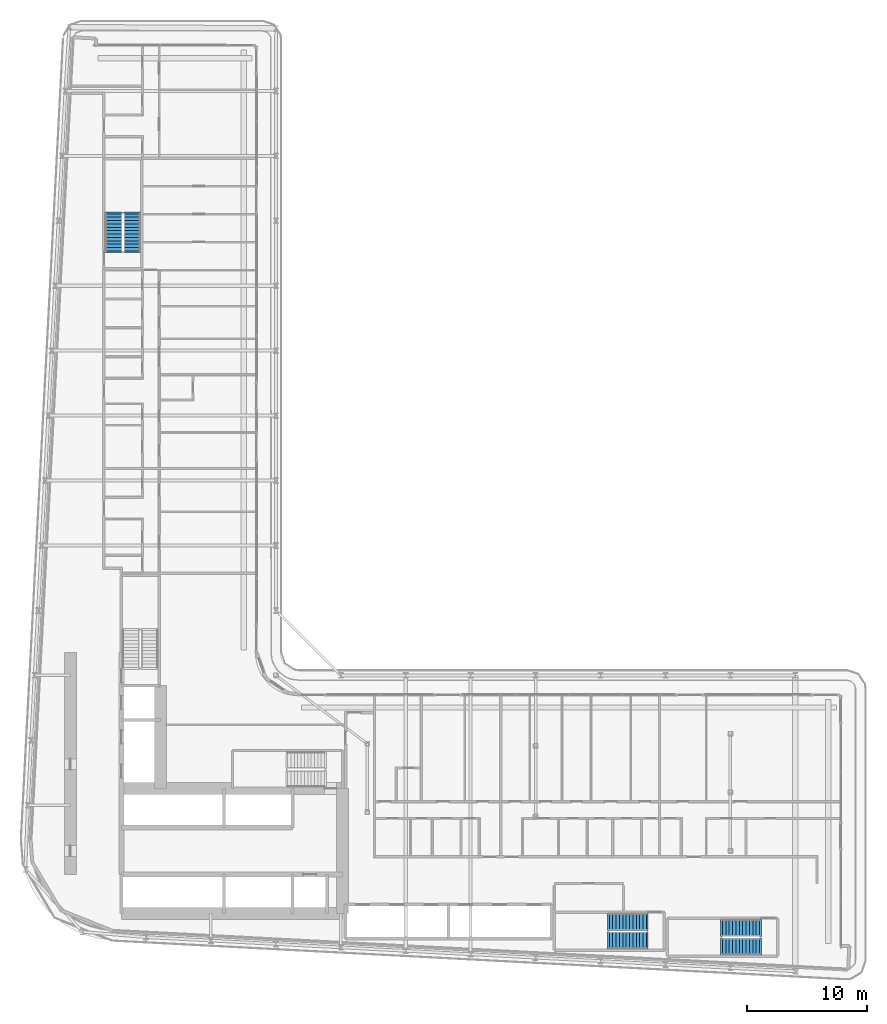
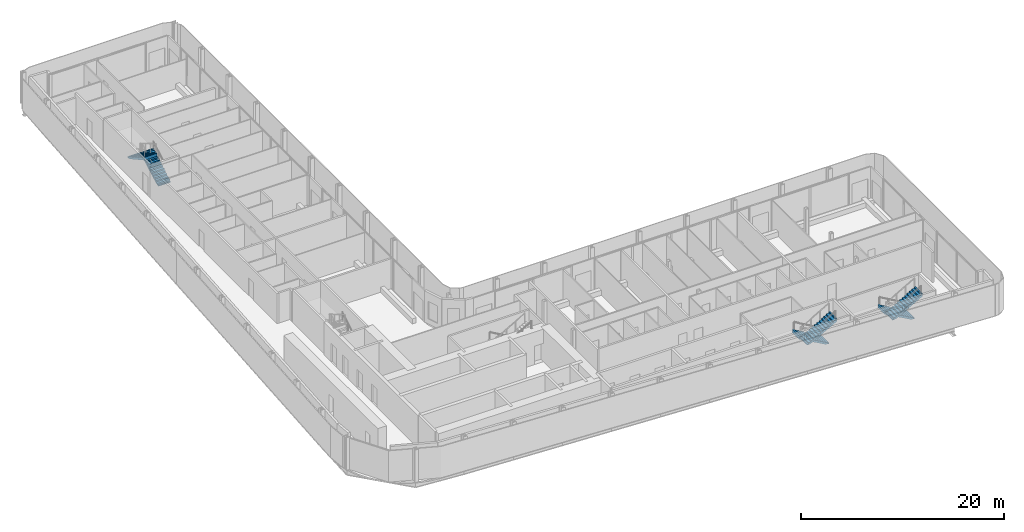
# One storey, part 21 of 28: 6 stair flights, 3 elements without a shape of their own.
"""IFC4 building model written with IfcOpenShell, lengths in metres."""

from ifc_helpers import new_model, si_unit, direction, frame, origin, place, context, subcontext, project, spatial, polyline, outline, extrude, material, layer, layer_set, type_object, element, aggregate, save


model = new_model("IFC4")

# Units and contexts
model_context = context("Model", 3, precision=1e-05, world=origin(), true_north=direction((0.0, 1.0)))
body_context = subcontext(model_context, "Body", "Model", "MODEL_VIEW")
ifc_project = project(units=[si_unit("LENGTHUNIT", "METRE"), si_unit("AREAUNIT", "SQUARE_METRE"), si_unit("VOLUMEUNIT", "CUBIC_METRE"), si_unit("PLANEANGLEUNIT", "RADIAN"), si_unit("MASSUNIT", "GRAM", prefix="KILO")], contexts=[model_context])

# Site, building, storey
site_placement = place(None, origin())
site = spatial("IfcSite", under=ifc_project, at=site_placement, CompositionType="ELEMENT")
building_placement = place(site_placement, origin())
building = spatial("IfcBuilding", under=site, at=building_placement, Name="Kheshtan School and Residences Tower", CompositionType="ELEMENT")
storey_placement = place(building_placement, frame((0.0, 0.0, 42.199951171875)))
storey = spatial("IfcBuildingStorey", under=building, at=storey_placement, Name="L09", CompositionType="ELEMENT", Elevation=42.199951171875)

# Stair, stair flights
ifc_material = material(Name="Concrete C40/50", Category="concrete")
stair_type = type_object("IfcStairType", Name="Exit stair, half-turn", PredefinedType="HALF_TURN_STAIR", material=ifc_material)
stair_1_placement = place(storey_placement, origin())
stair_1 = element("IfcStair", 1, at=stair_1_placement, inside=storey, type_object=stair_type, Name="L09 Protected Exit Stair ST3", PredefinedType="HALF_TURN_STAIR")
ifc_layer = layer(ifc_material, 0.14990234375)
ifc_layer_set = layer_set([ifc_layer], Name="Stair flight 1400 Concrete C40/50")
stair_flight_type = type_object("IfcStairFlightType", Name="Stair flight 1400 Concrete C40/50", PredefinedType="STRAIGHT", material=ifc_layer_set)
stair_flight_1_placement = place(storey_placement, frame((35.64990234375, 80.89990234375, 0.0), z_axis=(0.0, 0.0, 1.0), x_axis=(0.0, 1.0, 0.0)))
stair_flight_1 = element("IfcStairFlight", 2, at=stair_flight_1_placement, type_object=stair_flight_type, Name="ST3 flight 1", NumberOfRisers=12, NumberOfTreads=11, PredefinedType="STRAIGHT", RiserHeight=0.1625, TreadLength=0.28, context=body_context, shape_type="SweptSolid", body=[
    extrude(outline(polyline([(-0.14990234375, -0.10009765625), (-0.14990234375, 0.0), (0.0, 0.0), (0.0, 0.16259765625), (0.280029296875, 0.16259765625), (0.280029296875, 0.324951171875), (0.56005859375, 0.324951171875), (0.56005859375, 0.487548828125), (0.840087890625, 0.487548828125), (0.840087890625, 0.64990234375), (1.1201171875, 0.64990234375), (1.1201171875, 0.8125), (1.39990234375, 0.8125), (1.39990234375, 0.97509765625), (1.679931640625, 0.97509765625), (1.679931640625, 1.137451171875), (1.9599609375, 1.137451171875), (1.9599609375, 1.300048828125), (2.239990234375, 1.300048828125), (2.239990234375, 1.46240234375), (2.52001953125, 1.46240234375), (2.52001953125, 1.625), (2.800048828125, 1.625), (2.800048828125, 1.78759765625), (3.080078125, 1.78759765625), (3.080078125, 1.949951171875), (3.080078125, 1.969970703125), (3.22998046875, 1.969970703125), (3.22998046875, 1.6142578125), (0.298583984375, 0.0), (-0.14990234375, -0.10009765625)])), frame((0.0, 0.699951171875, 0.0), z_axis=(0.0, -1.0, 0.0), x_axis=(1.0, 0.0, 0.0)), (0.0, 0.0, 1.0), 1.39990234375),
])
stair_flight_2_placement = place(storey_placement, frame((34.10009765625, 83.97998046875, 1.949951171875), z_axis=(0.0, 0.0, 1.0), x_axis=(0.0, -1.0, 0.0)))
stair_flight_2 = element("IfcStairFlight", 3, at=stair_flight_2_placement, type_object=stair_flight_type, Name="ST3 flight 2", NumberOfRisers=12, NumberOfTreads=11, PredefinedType="STRAIGHT", RiserHeight=0.1625, TreadLength=0.28, context=body_context, shape_type="SweptSolid", body=[
    extrude(outline(polyline([(-0.14990234375, -0.10009765625), (-0.14990234375, 0.0), (0.0, 0.0), (0.0, 0.16259765625), (0.280029296875, 0.16259765625), (0.280029296875, 0.324951171875), (0.56005859375, 0.324951171875), (0.56005859375, 0.487548828125), (0.840087890625, 0.487548828125), (0.840087890625, 0.64990234375), (1.1201171875, 0.64990234375), (1.1201171875, 0.8125), (1.39990234375, 0.8125), (1.39990234375, 0.97509765625), (1.679931640625, 0.97509765625), (1.679931640625, 1.137451171875), (1.9599609375, 1.137451171875), (1.9599609375, 1.300048828125), (2.239990234375, 1.300048828125), (2.239990234375, 1.46240234375), (2.52001953125, 1.46240234375), (2.52001953125, 1.625), (2.800048828125, 1.625), (2.800048828125, 1.78759765625), (3.080078125, 1.78759765625), (3.080078125, 1.949951171875), (3.080078125, 1.969970703125), (3.22998046875, 1.969970703125), (3.22998046875, 1.6142578125), (0.298583984375, 0.0), (-0.14990234375, -0.10009765625)])), frame((0.0, 0.699951171875, 0.0), z_axis=(0.0, -1.0, 0.0), x_axis=(1.0, 0.0, 0.0)), (0.0, 0.0, 1.0), 1.39990234375),
])
aggregate(stair_1, [stair_flight_1, stair_flight_2])

stair_2_placement = place(storey_placement, origin())
stair_2 = element("IfcStair", 4, at=stair_2_placement, inside=storey, type_object=stair_type, Name="L09 Protected Exit Stair ST4", PredefinedType="HALF_TURN_STAIR")
stair_flight_3_placement = place(storey_placement, frame((87.820068359375, 24.60009765625, 0.0), z_axis=(0.0, 0.0, 1.0), x_axis=(-1.0, 0.0, 0.0)))
stair_flight_3 = element("IfcStairFlight", 5, at=stair_flight_3_placement, type_object=stair_flight_type, Name="ST4 flight 1", NumberOfRisers=12, NumberOfTreads=11, PredefinedType="STRAIGHT", RiserHeight=0.1625, TreadLength=0.28, context=body_context, shape_type="SweptSolid", body=[
    extrude(outline(polyline([(-0.14990234375, -0.10009765625), (-0.14990234375, 0.0), (0.0, 0.0), (0.0, 0.16259765625), (0.280029296875, 0.16259765625), (0.280029296875, 0.324951171875), (0.56005859375, 0.324951171875), (0.56005859375, 0.487548828125), (0.840087890625, 0.487548828125), (0.840087890625, 0.64990234375), (1.1201171875, 0.64990234375), (1.1201171875, 0.8125), (1.39990234375, 0.8125), (1.39990234375, 0.97509765625), (1.679931640625, 0.97509765625), (1.679931640625, 1.137451171875), (1.9599609375, 1.137451171875), (1.9599609375, 1.300048828125), (2.239990234375, 1.300048828125), (2.239990234375, 1.46240234375), (2.52001953125, 1.46240234375), (2.52001953125, 1.625), (2.800048828125, 1.625), (2.800048828125, 1.78759765625), (3.080078125, 1.78759765625), (3.080078125, 1.949951171875), (3.080078125, 1.969970703125), (3.22998046875, 1.969970703125), (3.22998046875, 1.6142578125), (0.298583984375, 0.0), (-0.14990234375, -0.10009765625)])), frame((0.0, 0.699951171875, 0.0), z_axis=(0.0, -1.0, 0.0), x_axis=(1.0, 0.0, 0.0)), (0.0, 0.0, 1.0), 1.39990234375),
])
stair_flight_4_placement = place(storey_placement, frame((84.739990234375, 23.050048828125, 1.949951171875), z_axis=(0.0, 0.0, 1.0), x_axis=(1.0, 0.0, 0.0)))
stair_flight_4 = element("IfcStairFlight", 6, at=stair_flight_4_placement, type_object=stair_flight_type, Name="ST4 flight 2", NumberOfRisers=12, NumberOfTreads=11, PredefinedType="STRAIGHT", RiserHeight=0.1625, TreadLength=0.28, context=body_context, shape_type="SweptSolid", body=[
    extrude(outline(polyline([(-0.14990234375, -0.10009765625), (-0.14990234375, 0.0), (0.0, 0.0), (0.0, 0.16259765625), (0.280029296875, 0.16259765625), (0.280029296875, 0.324951171875), (0.56005859375, 0.324951171875), (0.56005859375, 0.487548828125), (0.840087890625, 0.487548828125), (0.840087890625, 0.64990234375), (1.1201171875, 0.64990234375), (1.1201171875, 0.8125), (1.39990234375, 0.8125), (1.39990234375, 0.97509765625), (1.679931640625, 0.97509765625), (1.679931640625, 1.137451171875), (1.9599609375, 1.137451171875), (1.9599609375, 1.300048828125), (2.239990234375, 1.300048828125), (2.239990234375, 1.46240234375), (2.52001953125, 1.46240234375), (2.52001953125, 1.625), (2.800048828125, 1.625), (2.800048828125, 1.78759765625), (3.080078125, 1.78759765625), (3.080078125, 1.949951171875), (3.080078125, 1.969970703125), (3.22998046875, 1.969970703125), (3.22998046875, 1.6142578125), (0.298583984375, 0.0), (-0.14990234375, -0.10009765625)])), frame((0.0, 0.699951171875, 0.0), z_axis=(0.0, -1.0, 0.0), x_axis=(1.0, 0.0, 0.0)), (0.0, 0.0, 1.0), 1.39990234375),
])
aggregate(stair_2, [stair_flight_3, stair_flight_4])

stair_3_placement = place(storey_placement, origin())
stair_3 = element("IfcStair", 7, at=stair_3_placement, inside=storey, type_object=stair_type, Name="L09 Protected Exit Stair ST5", PredefinedType="HALF_TURN_STAIR")
stair_flight_5_placement = place(storey_placement, frame((78.409912109375, 25.10009765625, 0.0), z_axis=(0.0, 0.0, 1.0), x_axis=(-1.0, 0.0, 0.0)))
stair_flight_5 = element("IfcStairFlight", 8, at=stair_flight_5_placement, type_object=stair_flight_type, Name="ST5 flight 1", NumberOfRisers=12, NumberOfTreads=11, PredefinedType="STRAIGHT", RiserHeight=0.1625, TreadLength=0.28, context=body_context, shape_type="SweptSolid", body=[
    extrude(outline(polyline([(-0.14990234375, -0.10009765625), (-0.14990234375, 0.0), (0.0, 0.0), (0.0, 0.16259765625), (0.280029296875, 0.16259765625), (0.280029296875, 0.324951171875), (0.56005859375, 0.324951171875), (0.56005859375, 0.487548828125), (0.840087890625, 0.487548828125), (0.840087890625, 0.64990234375), (1.1201171875, 0.64990234375), (1.1201171875, 0.8125), (1.39990234375, 0.8125), (1.39990234375, 0.97509765625), (1.679931640625, 0.97509765625), (1.679931640625, 1.137451171875), (1.9599609375, 1.137451171875), (1.9599609375, 1.300048828125), (2.239990234375, 1.300048828125), (2.239990234375, 1.46240234375), (2.52001953125, 1.46240234375), (2.52001953125, 1.625), (2.800048828125, 1.625), (2.800048828125, 1.78759765625), (3.080078125, 1.78759765625), (3.080078125, 1.949951171875), (3.080078125, 1.969970703125), (3.22998046875, 1.969970703125), (3.22998046875, 1.6142578125), (0.298583984375, 0.0), (-0.14990234375, -0.10009765625)])), frame((0.0, 0.699951171875, 0.0), z_axis=(0.0, -1.0, 0.0), x_axis=(1.0, 0.0, 0.0)), (0.0, 0.0, 1.0), 1.39990234375),
])
stair_flight_6_placement = place(storey_placement, frame((75.330078125, 23.550048828125, 1.949951171875), z_axis=(0.0, 0.0, 1.0), x_axis=(1.0, 0.0, 0.0)))
stair_flight_6 = element("IfcStairFlight", 9, at=stair_flight_6_placement, type_object=stair_flight_type, Name="ST5 flight 2", NumberOfRisers=12, NumberOfTreads=11, PredefinedType="STRAIGHT", RiserHeight=0.1625, TreadLength=0.28, context=body_context, shape_type="SweptSolid", body=[
    extrude(outline(polyline([(-0.14990234375, -0.10009765625), (-0.14990234375, 0.0), (0.0, 0.0), (0.0, 0.16259765625), (0.280029296875, 0.16259765625), (0.280029296875, 0.324951171875), (0.56005859375, 0.324951171875), (0.56005859375, 0.487548828125), (0.840087890625, 0.487548828125), (0.840087890625, 0.64990234375), (1.1201171875, 0.64990234375), (1.1201171875, 0.8125), (1.39990234375, 0.8125), (1.39990234375, 0.97509765625), (1.679931640625, 0.97509765625), (1.679931640625, 1.137451171875), (1.9599609375, 1.137451171875), (1.9599609375, 1.300048828125), (2.239990234375, 1.300048828125), (2.239990234375, 1.46240234375), (2.52001953125, 1.46240234375), (2.52001953125, 1.625), (2.800048828125, 1.625), (2.800048828125, 1.78759765625), (3.080078125, 1.78759765625), (3.080078125, 1.949951171875), (3.080078125, 1.969970703125), (3.22998046875, 1.969970703125), (3.22998046875, 1.6142578125), (0.298583984375, 0.0), (-0.14990234375, -0.10009765625)])), frame((0.0, 0.699951171875, 0.0), z_axis=(0.0, -1.0, 0.0), x_axis=(1.0, 0.0, 0.0)), (0.0, 0.0, 1.0), 1.39990234375),
])
aggregate(stair_3, [stair_flight_5, stair_flight_6])

save(model, "model.ifc")
